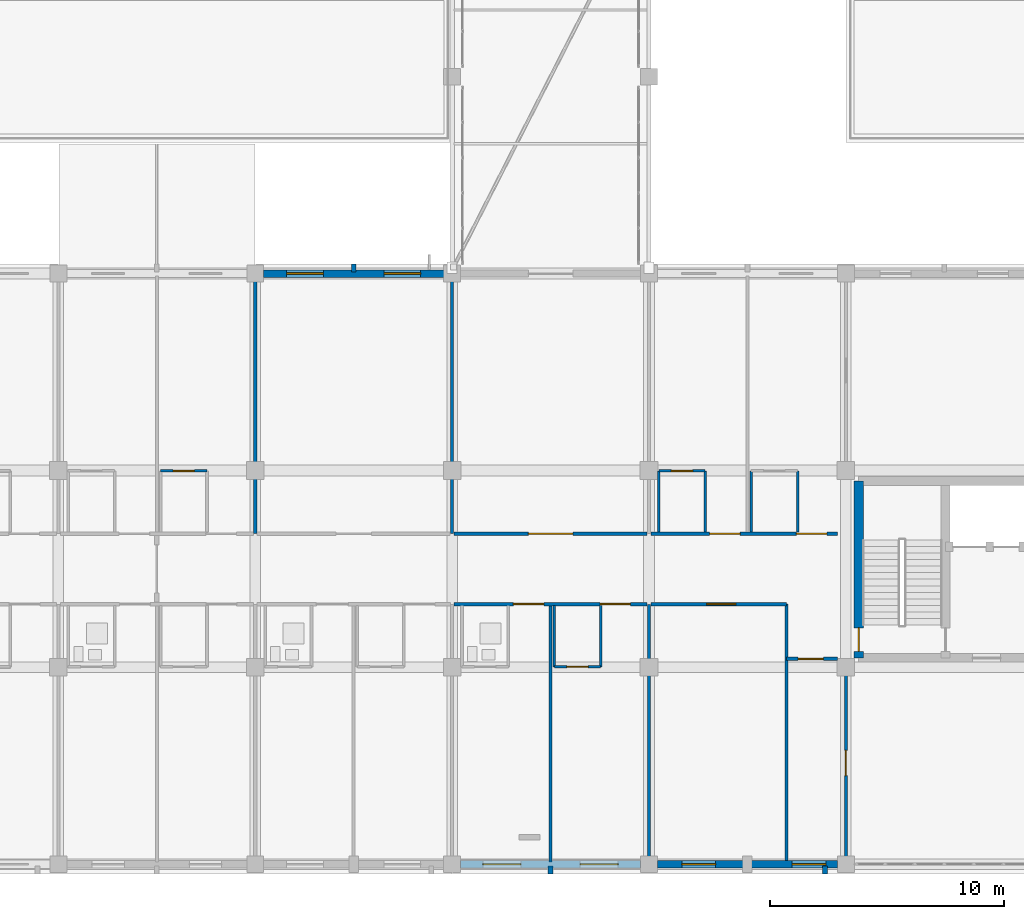
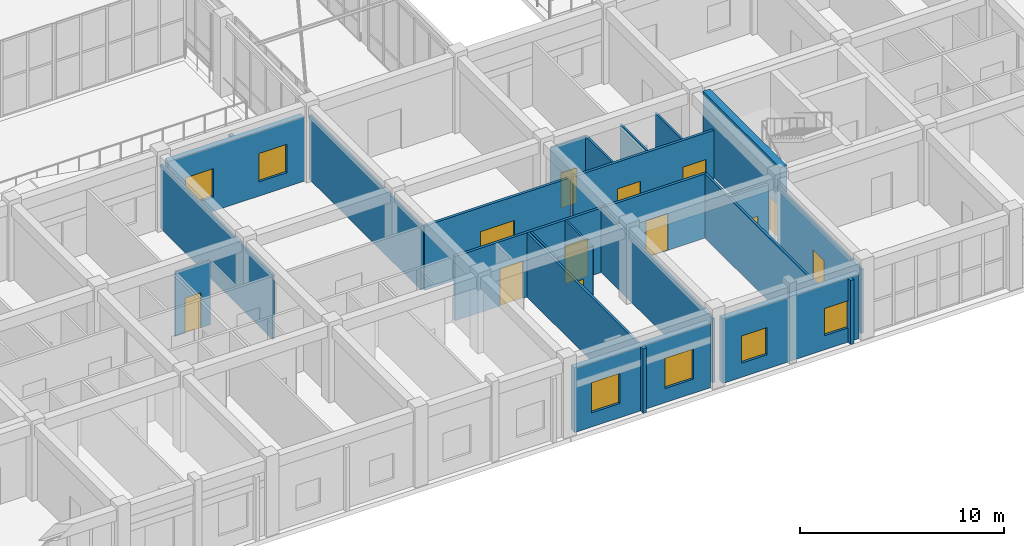
# One storey, part 120 of 158: 27 walls, 12 doors, 6 windows, 18 openings.
"""IFC4 building model written with IfcOpenShell, lengths in metres."""

from ifc_helpers import new_model, si_unit, direction, frame, frame_2d, origin, place, context, subcontext, project, spatial, rectangle, extrude, material, layer, layer_set, type_object, element, fill, save


model = new_model("IFC4")

# Units and contexts
model_context = context("Model", 3, precision=1e-05, world=origin(), true_north=direction((0.0, 1.0)))
body_context = subcontext(model_context, "Body", "Model", "MODEL_VIEW")
ifc_project = project(units=[si_unit("LENGTHUNIT", "METRE"), si_unit("AREAUNIT", "SQUARE_METRE"), si_unit("VOLUMEUNIT", "CUBIC_METRE"), si_unit("PLANEANGLEUNIT", "RADIAN"), si_unit("MASSUNIT", "GRAM", prefix="KILO")], contexts=[model_context])

# Site, building, storey
site_placement = place(None, origin())
site = spatial("IfcSite", under=ifc_project, at=site_placement, CompositionType="ELEMENT")
building_placement = place(site_placement, origin())
building = spatial("IfcBuilding", under=site, at=building_placement, Name="Trelvath General Hospital", CompositionType="ELEMENT")
storey_placement = place(building_placement, frame((0.0, 0.0, 8.10009765625)))
storey = spatial("IfcBuildingStorey", under=building, at=storey_placement, Name="L02", CompositionType="ELEMENT", Elevation=8.10009765625)

# Walls
ifc_material_1 = material(Name="Precast concrete C40/50", Category="concrete")
ifc_layer_1 = layer(ifc_material_1, 0.199951171875)
ifc_layer_set_1 = layer_set([ifc_layer_1], Name="Precast concrete C40/50")
wall_type_1 = type_object("IfcWallType", Name="BriseSoleilRib 200", PredefinedType="ELEMENTEDWALL", material=ifc_layer_set_1)
for number, where, z_axis, x_axis, name in (
    (1, (71.39990234375, 25.27490234375, 0.0), (0.0, 0.0, 1.0), (0.0, 1.0, 0.0), "Precast Concrete Brise-Soleil Rib Fin L02-196"),
    (2, (79.800048828125, -0.074951171875, 0.0), (0.0, 0.0, 1.0), (0.0, -1.0, 0.0), "Precast Concrete Brise-Soleil Rib Fin L02-199"),
    (3, (91.506591796875, -0.074951171875, 0.0), (0.0, 0.0, 1.0), (0.0, -1.0, 0.0), "Precast Concrete Brise-Soleil Rib Fin L02-201"),
):
    element("IfcWall", number, at=place(storey_placement, frame(where, z_axis=z_axis, x_axis=x_axis)), inside=storey, type_object=wall_type_1, Name=name, PredefinedType="ELEMENTEDWALL", context=body_context, shape_type="SweptSolid", body=[
        extrude(rectangle(XDim=0.340087890625, YDim=0.199951171875, at=frame_2d((0.169921875, 0.0))), origin(), (0.0, 0.0, 1.0), 3.83984375),
    ])

# Wall, openings, doors
ifc_material_2 = material(Name="Gypsum acoustic steel-stud partition", Category="steel")
ifc_layer_2 = layer(ifc_material_2, 0.14990234375)
ifc_layer_set_2 = layer_set([ifc_layer_2], Name="Gypsum acoustic steel-stud partition")
wall_type_2 = type_object("IfcWallType", Name="ClinicalPartition 150", PredefinedType="PARTITIONING", material=ifc_layer_set_2)
wall_1_placement = place(storey_placement, frame((75.679931640625, 11.10009765625, 0.0), z_axis=(0.0, 0.0, 1.0), x_axis=(1.0, 0.0, 0.0)))
wall_1 = element("IfcWall", 4, at=wall_1_placement, inside=storey, type_object=wall_type_2, Name="Corridor Partition L02-768", PredefinedType="PARTITIONING", context=body_context, shape_type="SweptSolid", body=[
    extrude(rectangle(XDim=8.239990234375, YDim=0.14990234375, at=frame_2d((4.1201171875, 0.0))), origin(), (0.0, 0.0, 1.0), 3.83984375),
])
opening_1_placement = place(wall_1_placement, frame((2.530029296875, 0.0, 0.0)))
opening_1 = element("IfcOpeningElement", 5, at=opening_1_placement, cuts=wall_1, Name="Opening D-2-0671", PredefinedType="OPENING", context=body_context, shape_type="SweptSolid", body=[
    extrude(rectangle(XDim=1.300048828125, YDim=2.25, at=frame_2d((0.64990234375, 1.125))), frame((0.0, 0.0849609375, 0.0), z_axis=(0.0, -1.0, 0.0), x_axis=(1.0, 0.0, 0.0)), (0.0, 0.0, 1.0), 0.169921875),
])
opening_2_placement = place(wall_1_placement, frame((6.22998046875, 0.0, 0.0)))
opening_2 = element("IfcOpeningElement", 6, at=opening_2_placement, cuts=wall_1, Name="Opening D-2-0672", PredefinedType="OPENING", context=body_context, shape_type="SweptSolid", body=[
    extrude(rectangle(XDim=1.300048828125, YDim=2.25, at=frame_2d((0.64990234375, 1.125))), frame((0.0, 0.0849609375, 0.0), z_axis=(0.0, -1.0, 0.0), x_axis=(1.0, 0.0, 0.0)), (0.0, 0.0, 1.0), 0.169921875),
])
ifc_material_3 = material(Name="Hospital bed-leaf timber door", Category="wood")
door_type_1 = type_object("IfcDoorType", Name="Door PatientBed 1300x2250", OperationType="NOTDEFINED", PredefinedType="DOOR", material=ifc_material_3)
door_1_placement = place(opening_1_placement, origin())
door_1 = element("IfcDoor", 7, at=door_1_placement, inside=storey, type_object=door_type_1, Name="Patient Room Door L02-671", OperationType="SINGLE_SWING_RIGHT", OverallHeight=2.25, OverallWidth=1.300048828125, PredefinedType="DOOR", context=body_context, shape_type="SweptSolid", body=[
    extrude(rectangle(XDim=1.300048828125, YDim=2.25, at=frame_2d((0.64990234375, 1.125))), frame((0.0, 0.02490234375, 0.0), z_axis=(0.0, -1.0, 0.0), x_axis=(1.0, 0.0, 0.0)), (0.0, 0.0, 1.0), 0.050048828125),
])
fill(opening_1, door_1)
door_2_placement = place(opening_2_placement, origin())
door_2 = element("IfcDoor", 8, at=door_2_placement, inside=storey, type_object=door_type_1, Name="Patient Room Door L02-672", OperationType="SINGLE_SWING_LEFT", OverallHeight=2.25, OverallWidth=1.300048828125, PredefinedType="DOOR", context=body_context, shape_type="SweptSolid", body=[
    extrude(rectangle(XDim=1.300048828125, YDim=2.25, at=frame_2d((0.64990234375, 1.125))), frame((0.0, 0.02490234375, 0.0), z_axis=(0.0, -1.0, 0.0), x_axis=(1.0, 0.0, 0.0)), (0.0, 0.0, 1.0), 0.050048828125),
])
fill(opening_2, door_2)

# Wall, opening, door
wall_2_placement = place(storey_placement, frame((83.919921875, 14.10009765625, 0.0), z_axis=(0.0, 0.0, 1.0), x_axis=(-1.0, 0.0, 0.0)))
wall_2 = element("IfcWall", 9, at=wall_2_placement, inside=storey, type_object=wall_type_2, Name="Corridor Partition N L02-777", PredefinedType="PARTITIONING", context=body_context, shape_type="SweptSolid", body=[
    extrude(rectangle(XDim=8.239990234375, YDim=0.14990234375, at=frame_2d((4.1201171875, 0.0))), origin(), (0.0, 0.0, 1.0), 3.83984375),
])
opening_3_placement = place(wall_2_placement, frame((3.169921875, 0.0, 0.0)))
opening_3 = element("IfcOpeningElement", 10, at=opening_3_placement, cuts=wall_2, Name="Opening D-2-0675", PredefinedType="OPENING", context=body_context, shape_type="SweptSolid", body=[
    extrude(rectangle(XDim=1.89990234375, YDim=2.39990234375, at=frame_2d((0.949951171875, 1.199951171875))), frame((0.0, 0.0849609375, 0.0), z_axis=(0.0, -1.0, 0.0), x_axis=(1.0, 0.0, 0.0)), (0.0, 0.0, 1.0), 0.169921875),
])
ifc_material_4 = material(Name="Thermally broken glazed aluminium pair", Category="aluminium")
door_type_2 = type_object("IfcDoorType", Name="Door BridgeEntry 1900x2400", OperationType="DOUBLE_SWING_LEFT", PredefinedType="DOOR", material=ifc_material_4)
door_3_placement = place(opening_3_placement, origin())
door_3 = element("IfcDoor", 11, at=door_3_placement, inside=storey, type_object=door_type_2, Name="Bridge Lounge Corridor Door N L02-675", OperationType="DOUBLE_SWING_LEFT", OverallHeight=2.39990234375, OverallWidth=1.89990234375, PredefinedType="DOOR", context=body_context, shape_type="SweptSolid", body=[
    extrude(rectangle(XDim=1.89990234375, YDim=2.39990234375, at=frame_2d((0.949951171875, 1.199951171875))), frame((0.0, 0.02490234375, 0.0), z_axis=(0.0, -1.0, 0.0), x_axis=(1.0, 0.0, 0.0)), (0.0, 0.0, 1.0), 0.050048828125),
])
fill(opening_3, door_3)

wall_3_placement = place(storey_placement, frame((84.080078125, 11.10009765625, 0.0), z_axis=(0.0, 0.0, 1.0), x_axis=(1.0, 0.0, 0.0)))
wall_3 = element("IfcWall", 12, at=wall_3_placement, inside=storey, type_object=wall_type_2, Name="Nurse Station Partition L02-780", PredefinedType="PARTITIONING", context=body_context, shape_type="SweptSolid", body=[
    extrude(rectangle(XDim=5.780029296875, YDim=0.14990234375, at=frame_2d((2.89013671875, 0.0))), origin(), (0.0, 0.0, 1.0), 3.83984375),
])
opening_4_placement = place(wall_3_placement, frame((2.3798828125, 0.0, 0.0)))
opening_4 = element("IfcOpeningElement", 13, at=opening_4_placement, cuts=wall_3, Name="Opening D-2-0676", PredefinedType="OPENING", context=body_context, shape_type="SweptSolid", body=[
    extrude(rectangle(XDim=1.25, YDim=2.199951171875, at=frame_2d((0.625, 1.10009765625))), frame((0.0, 0.0849609375, 0.0), z_axis=(0.0, -1.0, 0.0), x_axis=(1.0, 0.0, 0.0)), (0.0, 0.0, 1.0), 0.169921875),
])
ifc_material_5 = material(Name="Acoustic hospital timber leaf", Category="wood")
door_type_3 = type_object("IfcDoorType", Name="Door Treatment 1250x2200", OperationType="NOTDEFINED", PredefinedType="DOOR", material=ifc_material_5)
door_4_placement = place(opening_4_placement, origin())
door_4 = element("IfcDoor", 14, at=door_4_placement, inside=storey, type_object=door_type_3, Name="Nurse Station Door L02-676", OperationType="SINGLE_SWING_RIGHT", OverallHeight=2.199951171875, OverallWidth=1.25, PredefinedType="DOOR", context=body_context, shape_type="SweptSolid", body=[
    extrude(rectangle(XDim=1.25, YDim=2.199951171875, at=frame_2d((0.625, 1.10009765625))), frame((0.0, 0.02490234375, 0.0), z_axis=(0.0, -1.0, 0.0), x_axis=(1.0, 0.0, 0.0)), (0.0, 0.0, 1.0), 0.050048828125),
])
fill(opening_4, door_4)

wall_4_placement = place(storey_placement, frame((89.860107421875, 8.760009765625, 0.0), z_axis=(0.0, 0.0, 1.0), x_axis=(1.0, 0.0, 0.0)))
wall_4 = element("IfcWall", 15, at=wall_4_placement, inside=storey, type_object=wall_type_2, Name="Clean Utility Partition L02-782", PredefinedType="PARTITIONING", context=body_context, shape_type="SweptSolid", body=[
    extrude(rectangle(XDim=2.179931640625, YDim=0.14990234375, at=frame_2d((1.08984375, 0.0))), origin(), (0.0, 0.0, 1.0), 3.83984375),
])
opening_5_placement = place(wall_4_placement, frame((0.5, 0.0, 0.0)))
opening_5 = element("IfcOpeningElement", 16, at=opening_5_placement, cuts=wall_4, Name="Opening D-2-0677", PredefinedType="OPENING", context=body_context, shape_type="SweptSolid", body=[
    extrude(rectangle(XDim=1.080078125, YDim=2.14990234375, at=frame_2d((0.5400390625, 1.074951171875))), frame((0.0, 0.0849609375, 0.0), z_axis=(0.0, -1.0, 0.0), x_axis=(1.0, 0.0, 0.0)), (0.0, 0.0, 1.0), 0.169921875),
])
ifc_material_6 = material(Name="Acoustic hospital timber leaf", Category="wood")
door_type_4 = type_object("IfcDoorType", Name="Door CleanSupply 1080x2150", OperationType="NOTDEFINED", PredefinedType="DOOR", material=ifc_material_6)
door_5_placement = place(opening_5_placement, origin())
door_5 = element("IfcDoor", 17, at=door_5_placement, inside=storey, type_object=door_type_4, Name="Clean Utility Door L02-677", OperationType="SINGLE_SWING_LEFT", OverallHeight=2.14990234375, OverallWidth=1.080078125, PredefinedType="DOOR", context=body_context, shape_type="SweptSolid", body=[
    extrude(rectangle(XDim=1.080078125, YDim=2.14990234375, at=frame_2d((0.5400390625, 1.074951171875))), frame((0.0, 0.02490234375, 0.0), z_axis=(0.0, -1.0, 0.0), x_axis=(1.0, 0.0, 0.0)), (0.0, 0.0, 1.0), 0.050048828125),
])
fill(opening_5, door_5)

# Wall, openings, doors
wall_5_placement = place(storey_placement, frame((92.0400390625, 14.10009765625, 0.0), z_axis=(0.0, 0.0, 1.0), x_axis=(-1.0, 0.0, 0.0)))
wall_5 = element("IfcWall", 18, at=wall_5_placement, inside=storey, type_object=wall_type_2, Name="Corridor Partition N L02-783", PredefinedType="PARTITIONING", context=body_context, shape_type="SweptSolid", body=[
    extrude(rectangle(XDim=7.9599609375, YDim=0.14990234375, at=frame_2d((3.97998046875, 0.0))), origin(), (0.0, 0.0, 1.0), 3.83984375),
])
opening_6_placement = place(wall_5_placement, frame((0.449951171875, 0.0, 0.0)))
opening_6 = element("IfcOpeningElement", 19, at=opening_6_placement, cuts=wall_5, Name="Opening D-2-0678", PredefinedType="OPENING", context=body_context, shape_type="SweptSolid", body=[
    extrude(rectangle(XDim=1.300048828125, YDim=2.25, at=frame_2d((0.64990234375, 1.125))), frame((0.0, 0.0849609375, 0.0), z_axis=(0.0, -1.0, 0.0), x_axis=(1.0, 0.0, 0.0)), (0.0, 0.0, 1.0), 0.169921875),
])
opening_7_placement = place(wall_5_placement, frame((4.14990234375, 0.0, 0.0)))
opening_7 = element("IfcOpeningElement", 20, at=opening_7_placement, cuts=wall_5, Name="Opening D-2-0679", PredefinedType="OPENING", context=body_context, shape_type="SweptSolid", body=[
    extrude(rectangle(XDim=1.300048828125, YDim=2.25, at=frame_2d((0.64990234375, 1.125))), frame((0.0, 0.0849609375, 0.0), z_axis=(0.0, -1.0, 0.0), x_axis=(1.0, 0.0, 0.0)), (0.0, 0.0, 1.0), 0.169921875),
])
door_6_placement = place(opening_6_placement, origin())
door_6 = element("IfcDoor", 21, at=door_6_placement, inside=storey, type_object=door_type_1, Name="Patient Room Door N L02-678", OperationType="SINGLE_SWING_RIGHT", OverallHeight=2.25, OverallWidth=1.300048828125, PredefinedType="DOOR", context=body_context, shape_type="SweptSolid", body=[
    extrude(rectangle(XDim=1.300048828125, YDim=2.25, at=frame_2d((0.64990234375, 1.125))), frame((0.0, 0.02490234375, 0.0), z_axis=(0.0, -1.0, 0.0), x_axis=(1.0, 0.0, 0.0)), (0.0, 0.0, 1.0), 0.050048828125),
])
fill(opening_6, door_6)
door_7_placement = place(opening_7_placement, origin())
door_7 = element("IfcDoor", 22, at=door_7_placement, inside=storey, type_object=door_type_1, Name="Patient Room Door N L02-679", OperationType="SINGLE_SWING_RIGHT", OverallHeight=2.25, OverallWidth=1.300048828125, PredefinedType="DOOR", context=body_context, shape_type="SweptSolid", body=[
    extrude(rectangle(XDim=1.300048828125, YDim=2.25, at=frame_2d((0.64990234375, 1.125))), frame((0.0, 0.02490234375, 0.0), z_axis=(0.0, -1.0, 0.0), x_axis=(1.0, 0.0, 0.0)), (0.0, 0.0, 1.0), 0.050048828125),
])
fill(opening_7, door_7)

# Wall, opening, door
ifc_material_7 = material(Name="Concrete C40/50", Category="concrete")
ifc_layer_3 = layer(ifc_material_7, 0.39990234375)
ifc_layer_set_3 = layer_set([ifc_layer_3], Name="Concrete C40/50")
wall_type_3 = type_object("IfcWallType", Name="CoreShearWall 400", PredefinedType="SHEAR", material=ifc_layer_set_3)
wall_6_placement = place(storey_placement, frame((92.949951171875, 8.800048828125, 0.0), z_axis=(0.0, 0.0, 1.0), x_axis=(0.0, 1.0, 0.0)))
wall_6 = element("IfcWall", 23, at=wall_6_placement, inside=storey, type_object=wall_type_3, Name="Core Shear Wall C5 W L02", PredefinedType="SHEAR", context=body_context, shape_type="SweptSolid", body=[
    extrude(rectangle(XDim=7.550048828125, YDim=0.39990234375, at=frame_2d((3.77490234375, 0.0))), origin(), (0.0, 0.0, 1.0), 4.52001953125),
])
opening_8_placement = place(wall_6_placement, frame((0.280029296875, 0.0, 0.0)))
opening_8 = element("IfcOpeningElement", 24, at=opening_8_placement, cuts=wall_6, Name="Opening FD-SW52", PredefinedType="OPENING", context=body_context, shape_type="SweptSolid", body=[
    extrude(rectangle(XDim=1.0, YDim=2.14990234375, at=frame_2d((0.5, 1.074951171875))), frame((0.0, 0.2099609375, 0.0), z_axis=(0.0, -1.0, 0.0), x_axis=(1.0, 0.0, 0.0)), (0.0, 0.0, 1.0), 0.419921875),
])
ifc_material_8 = material(Name="Fire-rated steel door", Category="steel")
door_type_5 = type_object("IfcDoorType", Name="Door FireStair 1100x2150", OperationType="NOTDEFINED", PredefinedType="DOOR", material=ifc_material_8)
door_8_placement = place(opening_8_placement, origin())
door_8 = element("IfcDoor", 25, at=door_8_placement, inside=storey, type_object=door_type_5, Name="West Corridor Stair Door ST5 L02", OperationType="SINGLE_SWING_RIGHT", OverallHeight=2.14990234375, OverallWidth=1.0, PredefinedType="DOOR", context=body_context, shape_type="SweptSolid", body=[
    extrude(rectangle(XDim=1.0, YDim=2.14990234375, at=frame_2d((0.5, 1.074951171875))), frame((0.0, 0.02490234375, 0.0), z_axis=(0.0, -1.0, 0.0), x_axis=(1.0, 0.0, 0.0)), (0.0, 0.0, 1.0), 0.050048828125),
])
fill(opening_8, door_8)

ifc_material_9 = material(Name="Moisture-resistant tile partition")
ifc_layer_4 = layer(ifc_material_9, 0.110107421875)
ifc_layer_set_4 = layer_set([ifc_layer_4], Name="Moisture-resistant tile partition")
wall_type_4 = type_object("IfcWallType", Name="EnSuiteWetWall 110", PredefinedType="PARTITIONING", material=ifc_layer_set_4)
wall_7_placement = place(storey_placement, frame((63.159912109375, 16.780029296875, 0.0), z_axis=(0.0, 0.0, 1.0), x_axis=(1.0, 0.0, 0.0)))
wall_7 = element("IfcWall", 26, at=wall_7_placement, inside=storey, type_object=wall_type_4, Name="En-Suite Bathroom N Partition L02-753", PredefinedType="PARTITIONING", context=body_context, shape_type="SweptSolid", body=[
    extrude(rectangle(XDim=1.97998046875, YDim=0.110107421875, at=frame_2d((0.989990234375, 0.0))), origin(), (0.0, 0.0, 1.0), 3.83984375),
])
opening_9_placement = place(wall_7_placement, frame((0.5400390625, 0.0, 0.0)))
opening_9 = element("IfcOpeningElement", 27, at=opening_9_placement, cuts=wall_7, Name="Opening D-2-0664", PredefinedType="OPENING", context=body_context, shape_type="SweptSolid", body=[
    extrude(rectangle(XDim=0.89990234375, YDim=2.10009765625, at=frame_2d((0.449951171875, 1.050048828125))), frame((0.0, 0.06494140625, 0.0), z_axis=(0.0, -1.0, 0.0), x_axis=(1.0, 0.0, 0.0)), (0.0, 0.0, 1.0), 0.130126953125),
])
ifc_material_10 = material(Name="Moisture-sealed timber leaf", Category="wood")
door_type_6 = type_object("IfcDoorType", Name="Door EnSuite 900x2100", OperationType="NOTDEFINED", PredefinedType="DOOR", material=ifc_material_10)
door_9_placement = place(opening_9_placement, origin())
door_9 = element("IfcDoor", 28, at=door_9_placement, inside=storey, type_object=door_type_6, Name="En-Suite Bathroom N Door L02-664", OperationType="SINGLE_SWING_LEFT", OverallHeight=2.10009765625, OverallWidth=0.89990234375, PredefinedType="DOOR", context=body_context, shape_type="SweptSolid", body=[
    extrude(rectangle(XDim=0.89990234375, YDim=2.10009765625, at=frame_2d((0.449951171875, 1.050048828125))), frame((0.0, 0.02490234375, 0.0), z_axis=(0.0, -1.0, 0.0), x_axis=(1.0, 0.0, 0.0)), (0.0, 0.0, 1.0), 0.050048828125),
])
fill(opening_9, door_9)

# Walls
for number, where, z_axis, x_axis, name in (
    (29, (79.9599609375, 8.419921875, 0.0), (0.0, 0.0, 1.0), (0.0, 1.0, 0.0), "En-Suite W Wall L02-773"),
    (30, (81.93994140625, 8.419921875, 0.0), (0.0, 0.0, 1.0), (0.0, 1.0, 0.0), "En-Suite E Wall L02-774"),
):
    element("IfcWall", number, at=place(storey_placement, frame(where, z_axis=z_axis, x_axis=x_axis)), inside=storey, type_object=wall_type_4, Name=name, PredefinedType="PARTITIONING", context=body_context, shape_type="SweptSolid", body=[
        extrude(rectangle(XDim=2.610107421875, YDim=0.110107421875, at=frame_2d((1.30517578125, 0.0))), origin(), (0.0, 0.0, 1.0), 3.83984375),
    ])

# Wall, opening, door
wall_8_placement = place(storey_placement, frame((79.9599609375, 8.419921875, 0.0), z_axis=(0.0, 0.0, 1.0), x_axis=(1.0, 0.0, 0.0)))
wall_8 = element("IfcWall", 31, at=wall_8_placement, inside=storey, type_object=wall_type_4, Name="En-Suite Bathroom Partition L02-775", PredefinedType="PARTITIONING", context=body_context, shape_type="SweptSolid", body=[
    extrude(rectangle(XDim=1.97998046875, YDim=0.110107421875, at=frame_2d((0.989990234375, 0.0))), origin(), (0.0, 0.0, 1.0), 3.83984375),
])
opening_10_placement = place(wall_8_placement, frame((0.5400390625, 0.0, 0.0)))
opening_10 = element("IfcOpeningElement", 32, at=opening_10_placement, cuts=wall_8, Name="Opening D-2-0674", PredefinedType="OPENING", context=body_context, shape_type="SweptSolid", body=[
    extrude(rectangle(XDim=0.89990234375, YDim=2.10009765625, at=frame_2d((0.449951171875, 1.050048828125))), frame((0.0, 0.06494140625, 0.0), z_axis=(0.0, -1.0, 0.0), x_axis=(1.0, 0.0, 0.0)), (0.0, 0.0, 1.0), 0.130126953125),
])
door_10_placement = place(opening_10_placement, origin())
door_10 = element("IfcDoor", 33, at=door_10_placement, inside=storey, type_object=door_type_6, Name="En-Suite Bathroom Door L02-674", OperationType="SINGLE_SWING_LEFT", OverallHeight=2.10009765625, OverallWidth=0.89990234375, PredefinedType="DOOR", context=body_context, shape_type="SweptSolid", body=[
    extrude(rectangle(XDim=0.89990234375, YDim=2.10009765625, at=frame_2d((0.449951171875, 1.050048828125))), frame((0.0, 0.02490234375, 0.0), z_axis=(0.0, -1.0, 0.0), x_axis=(1.0, 0.0, 0.0)), (0.0, 0.0, 1.0), 0.050048828125),
])
fill(opening_10, door_10)

# Walls
for number, where, z_axis, x_axis, name in (
    (34, (84.419921875, 14.169921875, 0.0), (0.0, 0.0, 1.0), (0.0, 1.0, 0.0), "En-Suite W Wall N L02-785"),
    (35, (86.39990234375, 14.169921875, 0.0), (0.0, 0.0, 1.0), (0.0, 1.0, 0.0), "En-Suite E Wall N L02-786"),
):
    element("IfcWall", number, at=place(storey_placement, frame(where, z_axis=z_axis, x_axis=x_axis)), inside=storey, type_object=wall_type_4, Name=name, PredefinedType="PARTITIONING", context=body_context, shape_type="SweptSolid", body=[
        extrude(rectangle(XDim=2.610107421875, YDim=0.110107421875, at=frame_2d((1.30517578125, 0.0))), origin(), (0.0, 0.0, 1.0), 3.83984375),
    ])

# Wall, opening, door
wall_9_placement = place(storey_placement, frame((84.419921875, 16.780029296875, 0.0), z_axis=(0.0, 0.0, 1.0), x_axis=(1.0, 0.0, 0.0)))
wall_9 = element("IfcWall", 36, at=wall_9_placement, inside=storey, type_object=wall_type_4, Name="En-Suite Bathroom N Partition L02-787", PredefinedType="PARTITIONING", context=body_context, shape_type="SweptSolid", body=[
    extrude(rectangle(XDim=1.97998046875, YDim=0.110107421875, at=frame_2d((0.989990234375, 0.0))), origin(), (0.0, 0.0, 1.0), 3.83984375),
])
opening_11_placement = place(wall_9_placement, frame((0.5400390625, 0.0, 0.0)))
opening_11 = element("IfcOpeningElement", 37, at=opening_11_placement, cuts=wall_9, Name="Opening D-2-0680", PredefinedType="OPENING", context=body_context, shape_type="SweptSolid", body=[
    extrude(rectangle(XDim=0.89990234375, YDim=2.10009765625, at=frame_2d((0.449951171875, 1.050048828125))), frame((0.0, 0.06494140625, 0.0), z_axis=(0.0, -1.0, 0.0), x_axis=(1.0, 0.0, 0.0)), (0.0, 0.0, 1.0), 0.130126953125),
])
door_11_placement = place(opening_11_placement, origin())
door_11 = element("IfcDoor", 38, at=door_11_placement, inside=storey, type_object=door_type_6, Name="En-Suite Bathroom N Door L02-680", OperationType="SINGLE_SWING_LEFT", OverallHeight=2.10009765625, OverallWidth=0.89990234375, PredefinedType="DOOR", context=body_context, shape_type="SweptSolid", body=[
    extrude(rectangle(XDim=0.89990234375, YDim=2.10009765625, at=frame_2d((0.449951171875, 1.050048828125))), frame((0.0, 0.02490234375, 0.0), z_axis=(0.0, -1.0, 0.0), x_axis=(1.0, 0.0, 0.0)), (0.0, 0.0, 1.0), 0.050048828125),
])
fill(opening_11, door_11)

# Walls
for number, where, z_axis, x_axis, name in (
    (39, (88.360107421875, 14.169921875, 0.0), (0.0, 0.0, 1.0), (0.0, 1.0, 0.0), "En-Suite W Wall N L02-788"),
    (40, (90.340087890625, 14.169921875, 0.0), (0.0, 0.0, 1.0), (0.0, 1.0, 0.0), "En-Suite E Wall N L02-789"),
):
    element("IfcWall", number, at=place(storey_placement, frame(where, z_axis=z_axis, x_axis=x_axis)), inside=storey, type_object=wall_type_4, Name=name, PredefinedType="PARTITIONING", context=body_context, shape_type="SweptSolid", body=[
        extrude(rectangle(XDim=2.610107421875, YDim=0.110107421875, at=frame_2d((1.30517578125, 0.0))), origin(), (0.0, 0.0, 1.0), 3.83984375),
    ])

# Wall, openings, windows
ifc_material_11 = material(Name="Concrete C35/45", Category="concrete")
ifc_layer_5 = layer(ifc_material_11, 0.320068359375)
ifc_layer_set_5 = layer_set([ifc_layer_5], Name="Concrete C35/45")
wall_type_5 = type_object("IfcWallType", Name="ExtThermalWall 320", PredefinedType="SOLIDWALL", material=ifc_layer_set_5)
wall_10_placement = place(storey_placement, frame((67.554931640625, 25.199951171875, 0.0), z_axis=(0.0, 0.0, 1.0), x_axis=(1.0, 0.0, 0.0)))
wall_10 = element("IfcWall", 41, at=wall_10_placement, inside=storey, type_object=wall_type_5, Name="Exterior Concrete Wall L02-263", PredefinedType="SOLIDWALL", context=body_context, shape_type="SweptSolid", body=[
    extrude(rectangle(XDim=7.690185546875, YDim=0.320068359375, at=frame_2d((3.84521484375, 0.0))), origin(), (0.0, 0.0, 1.0), 3.85986328125),
])
opening_12_placement = place(wall_10_placement, frame((0.98876953125, 0.0, 0.85009765625)))
opening_12 = element("IfcOpeningElement", 42, at=opening_12_placement, cuts=wall_10, Name="Opening WN-2-423", PredefinedType="OPENING", context=body_context, shape_type="SweptSolid", body=[
    extrude(rectangle(XDim=1.56005859375, YDim=1.699951171875, at=frame_2d((0.780029296875, 0.85009765625))), frame((0.0, 0.169921875, 0.0), z_axis=(0.0, -1.0, 0.0), x_axis=(1.0, 0.0, 0.0)), (0.0, 0.0, 1.0), 0.340087890625),
])
opening_13_placement = place(wall_10_placement, frame((5.141357421875, 0.0, 0.85009765625)))
opening_13 = element("IfcOpeningElement", 43, at=opening_13_placement, cuts=wall_10, Name="Opening WN-2-424", PredefinedType="OPENING", context=body_context, shape_type="SweptSolid", body=[
    extrude(rectangle(XDim=1.56005859375, YDim=1.699951171875, at=frame_2d((0.780029296875, 0.85009765625))), frame((0.0, 0.169921875, 0.0), z_axis=(0.0, -1.0, 0.0), x_axis=(1.0, 0.0, 0.0)), (0.0, 0.0, 1.0), 0.340087890625),
])
ifc_material_12 = material(Name="Low-E laminated glass", Category="glass")
window_type_1 = type_object("IfcWindowType", Name="Window Dialysis 1560x1700", PartitioningType="DOUBLE_PANEL_VERTICAL", PredefinedType="WINDOW", material=ifc_material_12)
window_1_placement = place(opening_12_placement, origin())
window_1 = element("IfcWindow", 44, at=window_1_placement, inside=storey, type_object=window_type_1, Name="Solar Reveal Window L02-423", OverallHeight=1.699951171875, OverallWidth=1.56005859375, PartitioningType="SINGLE_PANEL", PredefinedType="WINDOW", context=body_context, shape_type="SweptSolid", body=[
    extrude(rectangle(XDim=1.56005859375, YDim=1.699951171875, at=frame_2d((0.780029296875, 0.85009765625))), frame((0.0, 0.030029296875, 0.0), z_axis=(0.0, -1.0, 0.0), x_axis=(1.0, 0.0, 0.0)), (0.0, 0.0, 1.0), 0.06005859375),
])
fill(opening_12, window_1)
window_2_placement = place(opening_13_placement, origin())
window_2 = element("IfcWindow", 45, at=window_2_placement, inside=storey, type_object=window_type_1, Name="Solar Reveal Window L02-424", OverallHeight=1.699951171875, OverallWidth=1.56005859375, PartitioningType="SINGLE_PANEL", PredefinedType="WINDOW", context=body_context, shape_type="SweptSolid", body=[
    extrude(rectangle(XDim=1.56005859375, YDim=1.699951171875, at=frame_2d((0.780029296875, 0.85009765625))), frame((0.0, 0.030029296875, 0.0), z_axis=(0.0, -1.0, 0.0), x_axis=(1.0, 0.0, 0.0)), (0.0, 0.0, 1.0), 0.06005859375),
])
fill(opening_13, window_2)

wall_11_placement = place(storey_placement, frame((83.64501953125, 0.0, 0.0), z_axis=(0.0, 0.0, 1.0), x_axis=(-1.0, 0.0, 0.0)))
wall_11 = element("IfcWall", 46, at=wall_11_placement, inside=storey, type_object=wall_type_5, Name="Exterior Concrete Wall L02-266", PredefinedType="SOLIDWALL", context=body_context, shape_type="SweptSolid", body=[
    extrude(rectangle(XDim=7.68994140625, YDim=0.320068359375, at=frame_2d((3.844970703125, 0.0))), origin(), (0.0, 0.0, 1.0), 3.85986328125),
])
opening_14_placement = place(wall_11_placement, frame((0.958740234375, 0.0, 0.85009765625)))
opening_14 = element("IfcOpeningElement", 47, at=opening_14_placement, cuts=wall_11, Name="Opening WN-2-429", PredefinedType="OPENING", context=body_context, shape_type="SweptSolid", body=[
    extrude(rectangle(XDim=1.6201171875, YDim=1.800048828125, at=frame_2d((0.81005859375, 0.89990234375))), frame((0.0, 0.169921875, 0.0), z_axis=(0.0, -1.0, 0.0), x_axis=(1.0, 0.0, 0.0)), (0.0, 0.0, 1.0), 0.340087890625),
])
opening_15_placement = place(wall_11_placement, frame((5.111328125, 0.0, 0.85009765625)))
opening_15 = element("IfcOpeningElement", 48, at=opening_15_placement, cuts=wall_11, Name="Opening WN-2-430", PredefinedType="OPENING", context=body_context, shape_type="SweptSolid", body=[
    extrude(rectangle(XDim=1.6201171875, YDim=1.800048828125, at=frame_2d((0.81005859375, 0.89990234375))), frame((0.0, 0.169921875, 0.0), z_axis=(0.0, -1.0, 0.0), x_axis=(1.0, 0.0, 0.0)), (0.0, 0.0, 1.0), 0.340087890625),
])
ifc_material_13 = material(Name="Low-E laminated glass", Category="glass")
window_type_2 = type_object("IfcWindowType", Name="Window Rehab 1620x1800", PartitioningType="DOUBLE_PANEL_VERTICAL", PredefinedType="WINDOW", material=ifc_material_13)
window_3_placement = place(opening_14_placement, origin())
window_3 = element("IfcWindow", 49, at=window_3_placement, inside=storey, type_object=window_type_2, Name="Solar Reveal Window L02-429", OverallHeight=1.800048828125, OverallWidth=1.6201171875, PartitioningType="SINGLE_PANEL", PredefinedType="WINDOW", context=body_context, shape_type="SweptSolid", body=[
    extrude(rectangle(XDim=1.6201171875, YDim=1.800048828125, at=frame_2d((0.81005859375, 0.89990234375))), frame((0.0, 0.030029296875, 0.0), z_axis=(0.0, -1.0, 0.0), x_axis=(1.0, 0.0, 0.0)), (0.0, 0.0, 1.0), 0.06005859375),
])
fill(opening_14, window_3)
window_4_placement = place(opening_15_placement, origin())
window_4 = element("IfcWindow", 50, at=window_4_placement, inside=storey, type_object=window_type_2, Name="Solar Reveal Window L02-430", OverallHeight=1.800048828125, OverallWidth=1.6201171875, PartitioningType="SINGLE_PANEL", PredefinedType="WINDOW", context=body_context, shape_type="SweptSolid", body=[
    extrude(rectangle(XDim=1.6201171875, YDim=1.800048828125, at=frame_2d((0.81005859375, 0.89990234375))), frame((0.0, 0.030029296875, 0.0), z_axis=(0.0, -1.0, 0.0), x_axis=(1.0, 0.0, 0.0)), (0.0, 0.0, 1.0), 0.06005859375),
])
fill(opening_15, window_4)

wall_12_placement = place(storey_placement, frame((92.044921875, 0.0, 0.0), z_axis=(0.0, 0.0, 1.0), x_axis=(-1.0, 0.0, 0.0)))
wall_12 = element("IfcWall", 51, at=wall_12_placement, inside=storey, type_object=wall_type_5, Name="Exterior Concrete Wall L02-275", PredefinedType="SOLIDWALL", context=body_context, shape_type="SweptSolid", body=[
    extrude(rectangle(XDim=7.68994140625, YDim=0.320068359375, at=frame_2d((3.844970703125, 0.0))), origin(), (0.0, 0.0, 1.0), 3.85986328125),
])
opening_16_placement = place(wall_12_placement, frame((0.5, 0.0, 0.85009765625)))
opening_16 = element("IfcOpeningElement", 52, at=opening_16_placement, cuts=wall_12, Name="Opening WN-2-433", PredefinedType="OPENING", context=body_context, shape_type="SweptSolid", body=[
    extrude(rectangle(XDim=1.43994140625, YDim=1.6201171875, at=frame_2d((0.719970703125, 0.81005859375))), frame((0.0, 0.169921875, 0.0), z_axis=(0.0, -1.0, 0.0), x_axis=(1.0, 0.0, 0.0)), (0.0, 0.0, 1.0), 0.340087890625),
])
opening_17_placement = place(wall_12_placement, frame((5.201416015625, 0.0, 0.85009765625)))
opening_17 = element("IfcOpeningElement", 53, at=opening_17_placement, cuts=wall_12, Name="Opening WN-2-434", PredefinedType="OPENING", context=body_context, shape_type="SweptSolid", body=[
    extrude(rectangle(XDim=1.43994140625, YDim=1.6201171875, at=frame_2d((0.719970703125, 0.81005859375))), frame((0.0, 0.169921875, 0.0), z_axis=(0.0, -1.0, 0.0), x_axis=(1.0, 0.0, 0.0)), (0.0, 0.0, 1.0), 0.340087890625),
])
ifc_material_14 = material(Name="Low-E laminated glass", Category="glass")
window_type_3 = type_object("IfcWindowType", Name="Window Maternity 1440x1620", PartitioningType="DOUBLE_PANEL_VERTICAL", PredefinedType="WINDOW", material=ifc_material_14)
window_5_placement = place(opening_16_placement, origin())
window_5 = element("IfcWindow", 54, at=window_5_placement, inside=storey, type_object=window_type_3, Name="Solar Reveal Window L02-433", OverallHeight=1.6201171875, OverallWidth=1.43994140625, PartitioningType="SINGLE_PANEL", PredefinedType="WINDOW", context=body_context, shape_type="SweptSolid", body=[
    extrude(rectangle(XDim=1.43994140625, YDim=1.6201171875, at=frame_2d((0.719970703125, 0.81005859375))), frame((0.0, 0.030029296875, 0.0), z_axis=(0.0, -1.0, 0.0), x_axis=(1.0, 0.0, 0.0)), (0.0, 0.0, 1.0), 0.06005859375),
])
fill(opening_16, window_5)
window_6_placement = place(opening_17_placement, origin())
window_6 = element("IfcWindow", 55, at=window_6_placement, inside=storey, type_object=window_type_3, Name="Solar Reveal Window L02-434", OverallHeight=1.6201171875, OverallWidth=1.43994140625, PartitioningType="SINGLE_PANEL", PredefinedType="WINDOW", context=body_context, shape_type="SweptSolid", body=[
    extrude(rectangle(XDim=1.43994140625, YDim=1.6201171875, at=frame_2d((0.719970703125, 0.81005859375))), frame((0.0, 0.030029296875, 0.0), z_axis=(0.0, -1.0, 0.0), x_axis=(1.0, 0.0, 0.0)), (0.0, 0.0, 1.0), 0.06005859375),
])
fill(opening_17, window_6)

# Walls
ifc_material_15 = material(Name="Gypsum acoustic steel-stud partition", Category="steel")
ifc_layer_6 = layer(ifc_material_15, 0.1298828125)
ifc_layer_set_6 = layer_set([ifc_layer_6], Name="Gypsum acoustic steel-stud partition")
wall_type_6 = type_object("IfcWallType", Name="WardPartition 130", PredefinedType="PARTITIONING", material=ifc_layer_set_6)
for number, where, z_axis, x_axis, name in (
    (56, (67.199951171875, 14.1201171875, 0.0), (0.0, 0.0, 1.0), (0.0, 1.0, 0.0), "Inter-Bay Ward Partition N L02-756"),
    (57, (75.60009765625, 14.1201171875, 0.0), (0.0, 0.0, 1.0), (0.0, 1.0, 0.0), "Inter-Bay Ward Partition N L02-767"),
):
    element("IfcWall", number, at=place(storey_placement, frame(where, z_axis=z_axis, x_axis=x_axis)), inside=storey, type_object=wall_type_6, Name=name, PredefinedType="PARTITIONING", context=body_context, shape_type="SweptSolid", body=[
        extrude(rectangle(XDim=10.93994140625, YDim=0.1298828125, at=frame_2d((5.469970703125, 0.0))), origin(), (0.0, 0.0, 1.0), 3.83984375),
    ])
wall_13_placement = place(storey_placement, frame((79.800048828125, 0.10009765625, 0.0), z_axis=(0.0, 0.0, 1.0), x_axis=(0.0, 1.0, 0.0)))
element("IfcWall", 58, at=wall_13_placement, inside=storey, type_object=wall_type_6, Name="Room Dividing Partition S L02-769", PredefinedType="PARTITIONING", context=body_context, shape_type="SweptSolid", body=[
    extrude(rectangle(XDim=10.929931640625, YDim=0.1298828125, at=frame_2d((5.46484375, 0.0))), origin(), (0.0, 0.0, 1.0), 3.83984375),
])
for number, where, z_axis, x_axis, name in (
    (59, (84.0, 0.139892578125, 0.0), (0.0, 0.0, 1.0), (0.0, 1.0, 0.0), "Inter-Bay Ward Partition S L02-778"),
    (60, (89.860107421875, 0.159912109375, 0.0), (0.0, 0.0, 1.0), (0.0, 1.0, 0.0), "Nurse Alcove Partition L02-781"),
):
    element("IfcWall", number, at=place(storey_placement, frame(where, z_axis=z_axis, x_axis=x_axis)), inside=storey, type_object=wall_type_6, Name=name, PredefinedType="PARTITIONING", context=body_context, shape_type="SweptSolid", body=[
        extrude(rectangle(XDim=10.940185546875, YDim=0.1298828125, at=frame_2d((5.47021484375, 0.0))), origin(), (0.0, 0.0, 1.0), 3.83984375),
    ])

# Wall, opening, door
wall_14_placement = place(storey_placement, frame((92.39990234375, 0.139892578125, 0.0), z_axis=(0.0, 0.0, 1.0), x_axis=(0.0, 1.0, 0.0)))
wall_14 = element("IfcWall", 61, at=wall_14_placement, inside=storey, type_object=wall_type_6, Name="Inter-Bay Ward Partition S L02-791", PredefinedType="PARTITIONING", context=body_context, shape_type="SweptSolid", body=[
    extrude(rectangle(XDim=8.210205078125, YDim=0.1298828125, at=frame_2d((4.10498046875, 0.0))), origin(), (0.0, 0.0, 1.0), 3.83984375),
])
opening_18_placement = place(wall_14_placement, frame((3.639892578125, 0.0, 0.0)))
opening_18 = element("IfcOpeningElement", 62, at=opening_18_placement, cuts=wall_14, Name="Opening D-2-0682", PredefinedType="OPENING", context=body_context, shape_type="SweptSolid", body=[
    extrude(rectangle(XDim=1.080078125, YDim=2.14990234375, at=frame_2d((0.5400390625, 1.074951171875))), frame((0.0, 0.074951171875, 0.0), z_axis=(0.0, -1.0, 0.0), x_axis=(1.0, 0.0, 0.0)), (0.0, 0.0, 1.0), 0.14990234375),
])
door_12_placement = place(opening_18_placement, origin())
door_12 = element("IfcDoor", 63, at=door_12_placement, inside=storey, type_object=door_type_4, Name="Clean Supply Connecting Door L02-682", OperationType="SINGLE_SWING_LEFT", OverallHeight=2.14990234375, OverallWidth=1.080078125, PredefinedType="DOOR", context=body_context, shape_type="SweptSolid", body=[
    extrude(rectangle(XDim=1.080078125, YDim=2.14990234375, at=frame_2d((0.5400390625, 1.074951171875))), frame((0.0, 0.02490234375, 0.0), z_axis=(0.0, -1.0, 0.0), x_axis=(1.0, 0.0, 0.0)), (0.0, 0.0, 1.0), 0.050048828125),
])
fill(opening_18, door_12)

save(model, "model.ifc")
